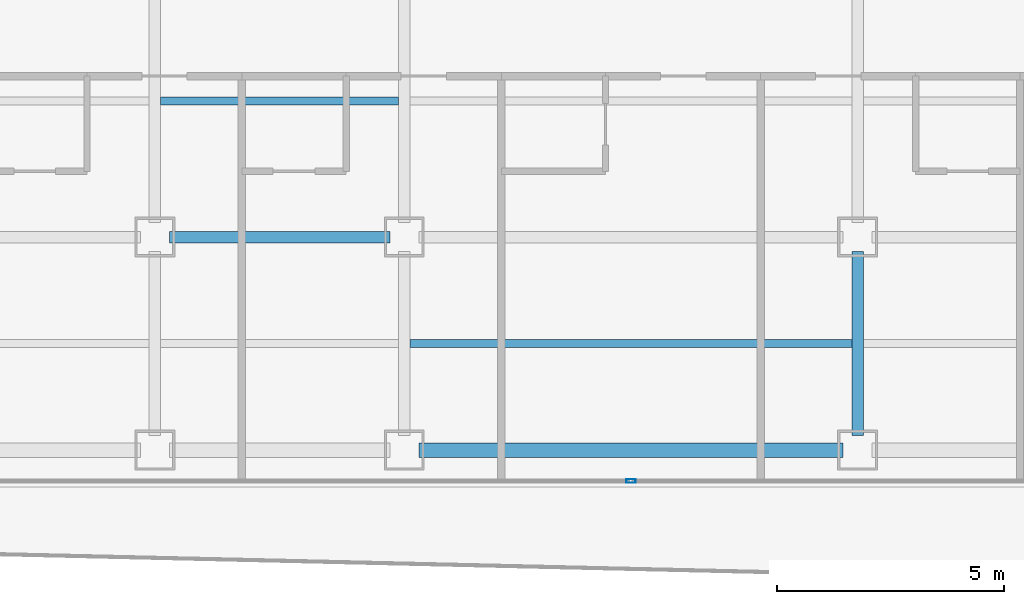
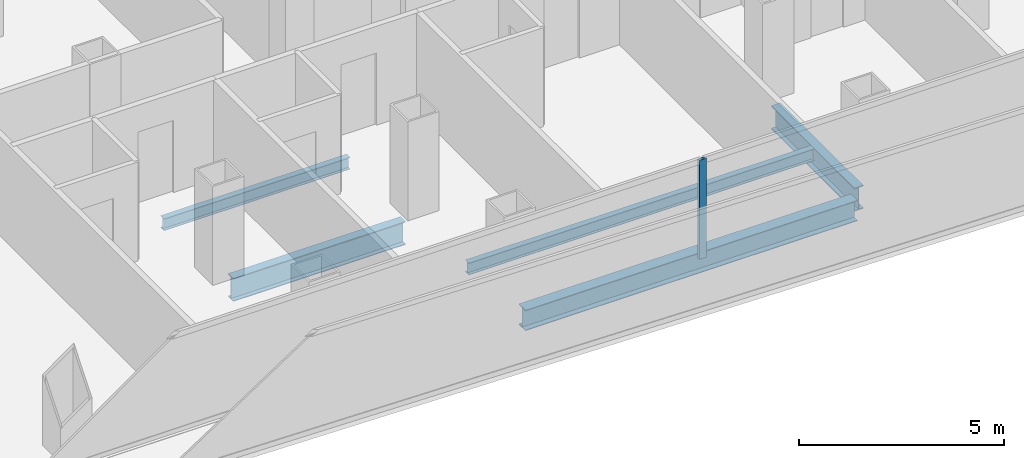
# One storey, part 4 of 21: 5 beams, 1 member, 1 element without a shape of its own.
"""IFC4 building model written with IfcOpenShell, lengths in metres."""

from ifc_helpers import new_model, si_unit, direction, frame, origin, origin_2d, place, context, subcontext, project, spatial, hollow_rectangle, i_section, extrude, source, transform, mapped, material, layer, layer_set, material_profile, profile_set, type_object, element, aggregate, save


model = new_model("IFC4")

# Units and contexts
model_context = context("Model", 3, precision=1e-05, world=origin(), true_north=direction((0.0, 1.0)))
body_context = subcontext(model_context, "Body", "Model", "MODEL_VIEW")
ifc_project = project(units=[si_unit("LENGTHUNIT", "METRE"), si_unit("AREAUNIT", "SQUARE_METRE"), si_unit("VOLUMEUNIT", "CUBIC_METRE"), si_unit("PLANEANGLEUNIT", "RADIAN"), si_unit("MASSUNIT", "GRAM", prefix="KILO")], contexts=[model_context])

# Site, building, storey
site_placement = place(None, origin())
site = spatial("IfcSite", under=ifc_project, at=site_placement, CompositionType="ELEMENT")
building_placement = place(site_placement, origin())
building = spatial("IfcBuilding", under=site, at=building_placement, Name="Kolveth Station Tower", CompositionType="ELEMENT")
storey_placement = place(building_placement, frame((0.0, 0.0, 102.300048828125)))
storey = spatial("IfcBuildingStorey", under=building, at=storey_placement, Name="L27", CompositionType="ELEMENT", Elevation=102.300048828125)

# Beams
ifc_material_1 = material(Name="Steel S355", Category="steel")
ifc_material_profile_1 = material_profile(ifc_material_1, i_section(OverallWidth=0.323974609375, OverallDepth=0.611083984375, WebThickness=0.0126953125, FlangeThickness=0.01904296875, at=origin_2d()), Name="W610x155")
ifc_profile_set_1 = profile_set([ifc_material_profile_1], Name="Steel S355")
beam_type_1 = type_object("IfcBeamType", Name="Beam_SP2", PredefinedType="SPANDREL", material=ifc_profile_set_1)
shared_shape_1 = source(origin(), body_context, "Body", "SweptSolid", [
    extrude(i_section(OverallWidth=0.323974609375, OverallDepth=0.611083984375, WebThickness=0.0126953125, FlangeThickness=0.01904296875, at=origin_2d()), origin(), (0.0, 0.0, 1.0), 9.35986328125),
])
beam_1_placement = place(storey_placement, frame((18.820068359375, 0.800048828125, -0.5556640625), z_axis=(1.0, 0.0, 0.0), x_axis=(0.0, 1.0, 0.0)))
element("IfcBeam", 1, at=beam_1_placement, inside=storey, type_object=beam_type_1, Name="L27 Perimeter Spandrel BM-L27-PS-3", PredefinedType="SPANDREL", context=body_context, shape_type="MappedRepresentation", body=[
    mapped(shared_shape_1, transform((0.0, 0.0, 0.0), x_axis=(1.0, 0.0, 0.0), y_axis=(0.0, 1.0, 0.0), z_axis=(0.0, 0.0, 1.0), scale=1.0)),
])
ifc_material_profile_2 = material_profile(ifc_material_1, i_section(OverallWidth=0.25390625, OverallDepth=0.68798828125, WebThickness=0.01318359375, FlangeThickness=0.02099609375, at=origin_2d()), Name="W690x152")
ifc_profile_set_2 = profile_set([ifc_material_profile_2], Name="Steel S355")
beam_type_2 = type_object("IfcBeamType", Name="Beam_B4", PredefinedType="BEAM", material=ifc_profile_set_2)
shared_shape_2 = source(origin(), body_context, "Body", "SweptSolid", [
    extrude(i_section(OverallWidth=0.25390625, OverallDepth=0.68798828125, WebThickness=0.01318359375, FlangeThickness=0.02099609375, at=origin_2d()), origin(), (0.0, 0.0, 1.0), 4.85986328125),
])
beam_2_placement = place(storey_placement, frame((13.320068359375, 5.5, -0.593994140625), z_axis=(1.0, 0.0, 0.0), x_axis=(0.0, 1.0, 0.0)))
element("IfcBeam", 2, at=beam_2_placement, inside=storey, type_object=beam_type_2, Name="L27 Primary Girder BM-L27-GY55-3", PredefinedType="BEAM", context=body_context, shape_type="MappedRepresentation", body=[
    mapped(shared_shape_2, transform((0.0, 0.0, 0.0), x_axis=(1.0, 0.0, 0.0), y_axis=(0.0, 1.0, 0.0), z_axis=(0.0, 0.0, 1.0), scale=1.0)),
])
shared_shape_3 = source(origin(), body_context, "Body", "SweptSolid", [
    extrude(i_section(OverallWidth=0.25390625, OverallDepth=0.68798828125, WebThickness=0.01318359375, FlangeThickness=0.02099609375, at=origin_2d()), origin(), (0.0, 0.0, 1.0), 4.059814453125),
])
beam_3_placement = place(storey_placement, frame((28.5, 1.1201171875, -0.593994140625), z_axis=(0.0, 1.0, 0.0), x_axis=(-1.0, 0.0, 0.0)))
element("IfcBeam", 3, at=beam_3_placement, inside=storey, type_object=beam_type_2, Name="L27 Primary Girder BM-L27-GX285-1", PredefinedType="BEAM", context=body_context, shape_type="MappedRepresentation", body=[
    mapped(shared_shape_3, transform((0.0, 0.0, 0.0), x_axis=(1.0, 0.0, 0.0), y_axis=(0.0, 1.0, 0.0), z_axis=(0.0, 0.0, 1.0), scale=1.0)),
])
ifc_material_profile_3 = material_profile(ifc_material_1, i_section(OverallWidth=0.1708984375, OverallDepth=0.35205078125, WebThickness=0.0068359375, FlangeThickness=0.009765625, at=origin_2d()), Name="W360x44")
ifc_profile_set_3 = profile_set([ifc_material_profile_3], Name="Steel S355")
beam_type_3 = type_object("IfcBeamType", Name="Beam_J2", PredefinedType="JOIST", material=ifc_profile_set_3)
shared_shape_4 = source(origin(), body_context, "Body", "SweptSolid", [
    extrude(i_section(OverallWidth=0.1708984375, OverallDepth=0.35205078125, WebThickness=0.0068359375, FlangeThickness=0.009765625, at=origin_2d()), origin(), (0.0, 0.0, 1.0), 5.25),
])
beam_4_placement = place(storey_placement, frame((13.125, 8.5, -0.426025390625), z_axis=(1.0, 0.0, 0.0), x_axis=(0.0, 1.0, 0.0)))
element("IfcBeam", 4, at=beam_4_placement, inside=storey, type_object=beam_type_3, Name="L27 Secondary Joist JST-L27-3-2", PredefinedType="JOIST", context=body_context, shape_type="MappedRepresentation", body=[
    mapped(shared_shape_4, transform((0.0, 0.0, 0.0), x_axis=(1.0, 0.0, 0.0), y_axis=(0.0, 1.0, 0.0), z_axis=(0.0, 0.0, 1.0), scale=1.0)),
])
shared_shape_5 = source(origin(), body_context, "Body", "SweptSolid", [
    extrude(i_section(OverallWidth=0.1708984375, OverallDepth=0.35205078125, WebThickness=0.0068359375, FlangeThickness=0.009765625, at=origin_2d()), origin(), (0.0, 0.0, 1.0), 9.75),
])
beam_5_placement = place(storey_placement, frame((18.625, 3.14990234375, -0.426025390625), z_axis=(1.0, 0.0, 0.0), x_axis=(0.0, 1.0, 0.0)))
element("IfcBeam", 5, at=beam_5_placement, inside=storey, type_object=beam_type_3, Name="L27 Secondary Joist JST-L27-4-1", PredefinedType="JOIST", context=body_context, shape_type="MappedRepresentation", body=[
    mapped(shared_shape_5, transform((0.0, 0.0, 0.0), x_axis=(1.0, 0.0, 0.0), y_axis=(0.0, 1.0, 0.0), z_axis=(0.0, 0.0, 1.0), scale=1.0)),
])

# Curtain wall, member
ifc_material_2 = material(Name="Aluminium 6063-T6 and low-E dark glass", Category="aluminium")
ifc_layer = layer(ifc_material_2, 0.18994140625)
ifc_layer_set = layer_set([ifc_layer], Name="Aluminium 6063-T6 and low-E dark glass")
curtain_wall_type = type_object("IfcCurtainWallType", Name="CurtainWall_CW-Z2", PredefinedType="NOTDEFINED", material=ifc_layer_set)
curtain_wall_placement = place(storey_placement, origin())
curtain_wall = element("IfcCurtainWall", 6, at=curtain_wall_placement, inside=storey, type_object=curtain_wall_type, Name="L27 Inner Thermal Curtain Wall 12", PredefinedType="NOTDEFINED")
ifc_material_3 = material(Name="Black anodized aluminium 6063-T6", Category="aluminium")
ifc_material_profile_4 = material_profile(ifc_material_3, hollow_rectangle(XDim=0.080078125, YDim=0.199951171875, WallThickness=0.0048828125, at=origin_2d()), Name="ALU-80x200x5")
ifc_profile_set_4 = profile_set([ifc_material_profile_4], Name="Black anodized aluminium 6063-T6")
member_type = type_object("IfcMemberType", Name="Mullion_ML2", PredefinedType="MULLION", material=ifc_profile_set_4)
shared_shape_6 = source(origin(), body_context, "Body", "SweptSolid", [
    extrude(hollow_rectangle(XDim=0.080078125, YDim=0.199951171875, WallThickness=0.0048828125, at=origin_2d()), origin(), (0.0, 0.0, 1.0), 2.949951171875),
])
member_placement = place(storey_placement, frame((23.5, 0.1201171875, 0.0), z_axis=(0.0, 0.0, 1.0), x_axis=(0.0, 1.0, 0.0)))
member = element("IfcMember", 7, at=member_placement, type_object=member_type, Name="CW-Z2 mullion 2", PredefinedType="MULLION", context=body_context, shape_type="MappedRepresentation", body=[
    mapped(shared_shape_6, transform((0.0, 0.0, 0.0), x_axis=(1.0, 0.0, 0.0), y_axis=(0.0, 1.0, 0.0), z_axis=(0.0, 0.0, 1.0), scale=1.0)),
])
aggregate(curtain_wall, [member])

save(model, "model.ifc")
